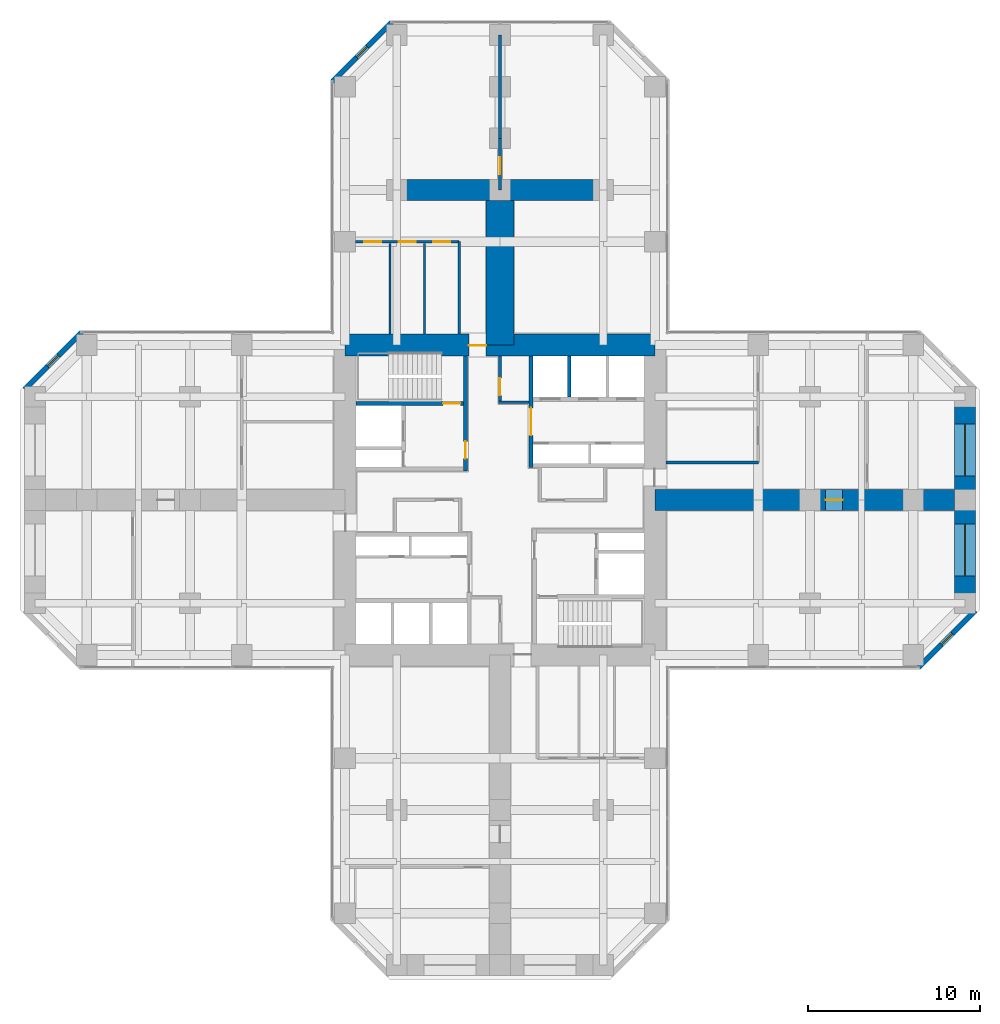
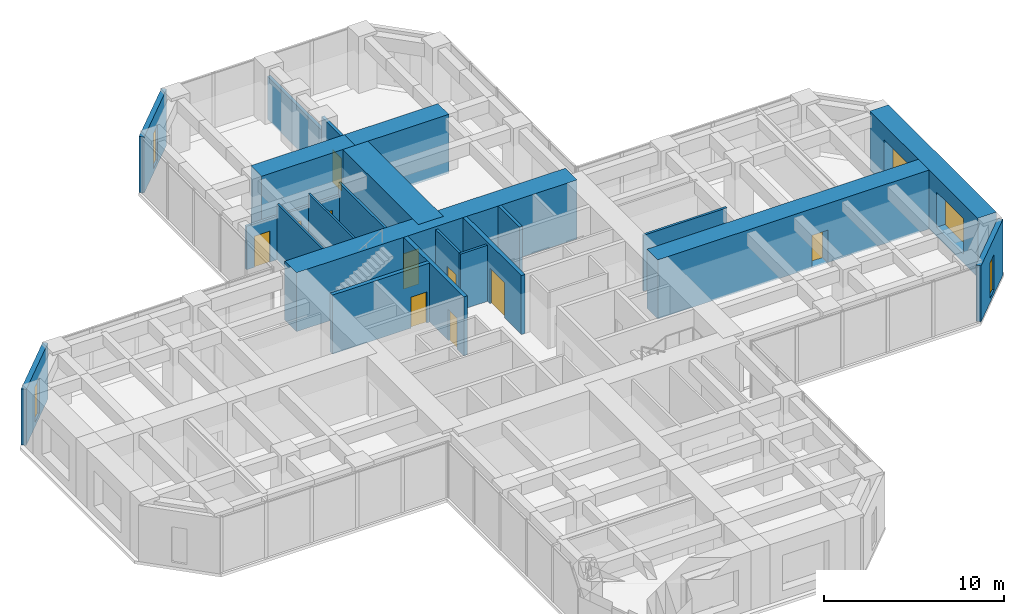
# One storey, part 10 of 12: 22 walls, 10 doors, 5 windows, 15 openings.
"""IFC4 building model written with IfcOpenShell, lengths in metres."""

from ifc_helpers import new_model, si_unit, direction, frame, frame_2d, origin, place, context, subcontext, project, spatial, rectangle, hollow_rectangle, extrude, material, layer, layer_set, constituent, constituent_set, type_object, element, fill, save


model = new_model("IFC4")

# Units and contexts
model_context = context("Model", 3, precision=1e-05, world=origin(), true_north=direction((0.0, 1.0)))
body_context = subcontext(model_context, "Body", "Model", "MODEL_VIEW")
ifc_project = project(units=[si_unit("LENGTHUNIT", "METRE"), si_unit("AREAUNIT", "SQUARE_METRE"), si_unit("VOLUMEUNIT", "CUBIC_METRE"), si_unit("PLANEANGLEUNIT", "RADIAN"), si_unit("MASSUNIT", "GRAM", prefix="KILO")], contexts=[model_context])

# Site, building, storey
site_placement = place(None, origin())
site = spatial("IfcSite", under=ifc_project, at=site_placement, CompositionType="ELEMENT")
building_placement = place(site_placement, origin())
building = spatial("IfcBuilding", under=site, at=building_placement, Name="Torre Cruceta", CompositionType="ELEMENT")
storey_placement = place(building_placement, frame((0.0, 0.0, 67.5)))
storey = spatial("IfcBuildingStorey", under=building, at=storey_placement, Name="L16", CompositionType="ELEMENT", Elevation=67.5)

# Wall, opening, door
ifc_material_1 = material(Name="Concrete G60 (fck 60 MPa)", Category="concrete")
ifc_layer_1 = layer(ifc_material_1, 0.25)
ifc_layer_set_1 = layer_set([ifc_layer_1], Name="Concrete G60 (fck 60 MPa)")
wall_type_1 = type_object("IfcWallType", Name="CORE INNER WALL 250 G60", PredefinedType="SHEAR", material=ifc_layer_set_1)
wall_1_placement = place(storey_placement, frame((1.800048828125, 1.875, 0.0), z_axis=(0.0, 0.0, 1.0), x_axis=(0.0, 1.0, 0.0)))
wall_1 = element("IfcWall", 1, at=wall_1_placement, inside=storey, type_object=wall_type_1, Name="CW4 L16 NE-CU", PredefinedType="SHEAR", context=body_context, shape_type="SweptSolid", body=[
    extrude(rectangle(XDim=6.47509765625, YDim=0.25, at=frame_2d((3.237548828125, 0.0))), origin(), (0.0, 0.0, 1.0), 4.0),
])
opening_1_placement = place(wall_1_placement, frame((1.875, 0.0, 0.0)))
opening_1 = element("IfcOpeningElement", 2, at=opening_1_placement, cuts=wall_1, Name="Opening D8", PredefinedType="OPENING", context=body_context, shape_type="SweptSolid", body=[
    extrude(rectangle(XDim=1.60009765625, YDim=2.39990234375, at=frame_2d((0.800048828125, 1.199951171875))), frame((0.0, 0.135009765625, 0.0), z_axis=(0.0, -1.0, 0.0), x_axis=(1.0, 0.0, 0.0)), (0.0, 0.0, 1.0), 0.27001953125),
])
ifc_material_2 = material(Name="Steel DX51D", Category="steel")
ifc_constituent_1 = constituent(ifc_material_2, Name="Leaf and frame")
ifc_material_3 = material(Name="Polyester powder coating", Category="paint")
ifc_constituent_2 = constituent(ifc_material_3, Name="Finish")
ifc_material_4 = material(Name="Fire-resisting glass", Category="glass")
ifc_constituent_3 = constituent(ifc_material_4, Name="Vision panel")
ifc_constituent_set_1 = constituent_set(constituents=[ifc_constituent_1, ifc_constituent_2, ifc_constituent_3], Name="Steel fire door with vision panels")
door_type_1 = type_object("IfcDoorType", Name="LIFT LOBBY DOUBLE DOOR 1600X2400", OperationType="DOUBLE_DOOR_DOUBLE_SWING", PredefinedType="DOOR", material=ifc_constituent_set_1)
door_1_placement = place(opening_1_placement, origin())
door_1 = element("IfcDoor", 3, at=door_1_placement, inside=storey, type_object=door_type_1, Name="D8 L16 NE-LOBBY", OperationType="DOUBLE_DOOR_DOUBLE_SWING", OverallHeight=2.39990234375, OverallWidth=1.60009765625, PredefinedType="DOOR", context=body_context, shape_type="SweptSolid", body=[
    extrude(rectangle(XDim=1.60009765625, YDim=2.39990234375, at=frame_2d((0.800048828125, 1.199951171875))), frame((0.0, 0.02490234375, 0.0), z_axis=(0.0, -1.0, 0.0), x_axis=(1.0, 0.0, 0.0)), (0.0, 0.0, 1.0), 0.050048828125),
])
fill(opening_1, door_1)

wall_2_placement = place(storey_placement, frame((-2.0, 1.675048828125, 0.0), z_axis=(0.0, 0.0, 1.0), x_axis=(0.0, 1.0, 0.0)))
wall_2 = element("IfcWall", 4, at=wall_2_placement, inside=storey, type_object=wall_type_1, Name="CW4 L16 NW-CU", PredefinedType="SHEAR", context=body_context, shape_type="SweptSolid", body=[
    extrude(rectangle(XDim=6.675048828125, YDim=0.25, at=frame_2d((3.33740234375, 0.0))), origin(), (0.0, 0.0, 1.0), 4.0),
])
opening_2_placement = place(wall_2_placement, frame((0.72509765625, 0.0, 0.0)))
opening_2 = element("IfcOpeningElement", 5, at=opening_2_placement, cuts=wall_2, Name="Opening D3", PredefinedType="OPENING", context=body_context, shape_type="SweptSolid", body=[
    extrude(rectangle(XDim=1.0, YDim=2.10009765625, at=frame_2d((0.5, 1.050048828125))), frame((0.0, 0.135009765625, 0.0), z_axis=(0.0, -1.0, 0.0), x_axis=(1.0, 0.0, 0.0)), (0.0, 0.0, 1.0), 0.27001953125),
])
ifc_material_5 = material(Name="Steel DX51D", Category="steel")
ifc_constituent_4 = constituent(ifc_material_5, Name="Leaf and frame")
ifc_material_6 = material(Name="Polyester powder coating", Category="paint")
ifc_constituent_5 = constituent(ifc_material_6, Name="Finish")
ifc_constituent_set_2 = constituent_set(constituents=[ifc_constituent_4, ifc_constituent_5], Name="Steel fire door")
door_type_2 = type_object("IfcDoorType", Name="FIRE DOOR 1000X2100", OperationType="SINGLE_SWING_LEFT", PredefinedType="DOOR", material=ifc_constituent_set_2)
door_2_placement = place(opening_2_placement, origin())
door_2 = element("IfcDoor", 6, at=door_2_placement, inside=storey, type_object=door_type_2, Name="D3 L16 NW-LOBBY", OperationType="SINGLE_SWING_LEFT", OverallHeight=2.10009765625, OverallWidth=1.0, PredefinedType="DOOR", context=body_context, shape_type="SweptSolid", body=[
    extrude(rectangle(XDim=1.0, YDim=2.10009765625, at=frame_2d((0.5, 1.050048828125))), frame((0.0, 0.02490234375, 0.0), z_axis=(0.0, -1.0, 0.0), x_axis=(1.0, 0.0, 0.0)), (0.0, 0.0, 1.0), 0.050048828125),
])
fill(opening_2, door_2)

wall_3_placement = place(storey_placement, frame((-2.125, 5.60009765625, 0.0), z_axis=(0.0, 0.0, 1.0), x_axis=(-1.0, 0.0, 0.0)))
wall_3 = element("IfcWall", 7, at=wall_3_placement, inside=storey, type_object=wall_type_1, Name="CW4 L16 NW-SV", PredefinedType="SHEAR", context=body_context, shape_type="SweptSolid", body=[
    extrude(rectangle(XDim=6.22509765625, YDim=0.25, at=frame_2d((3.112548828125, 0.0))), origin(), (0.0, 0.0, 1.0), 4.0),
])
opening_3_placement = place(wall_3_placement, frame((0.175048828125, 0.0, 0.0)))
opening_3 = element("IfcOpeningElement", 8, at=opening_3_placement, cuts=wall_3, Name="Opening D3", PredefinedType="OPENING", context=body_context, shape_type="SweptSolid", body=[
    extrude(rectangle(XDim=1.0, YDim=2.10009765625, at=frame_2d((0.5, 1.050048828125))), frame((0.0, 0.135009765625, 0.0), z_axis=(0.0, -1.0, 0.0), x_axis=(1.0, 0.0, 0.0)), (0.0, 0.0, 1.0), 0.27001953125),
])
door_3_placement = place(opening_3_placement, frame((1.0, 0.0, 0.0), z_axis=(0.0, 0.0, 1.0), x_axis=(-1.0, 0.0, 0.0)))
door_3 = element("IfcDoor", 9, at=door_3_placement, inside=storey, type_object=door_type_2, Name="D3 L16 NW-STAIR", OperationType="SINGLE_SWING_RIGHT", OverallHeight=2.10009765625, OverallWidth=1.0, PredefinedType="DOOR", context=body_context, shape_type="SweptSolid", body=[
    extrude(rectangle(XDim=1.0, YDim=2.10009765625, at=frame_2d((0.5, 1.050048828125))), frame((0.0, 0.025146484375, 0.0), z_axis=(0.0, -1.0, 0.0), x_axis=(1.0, 0.0, 0.0)), (0.0, 0.0, 1.0), 0.050048828125),
])
fill(opening_3, door_3)

ifc_material_7 = material(Name="Concrete G60 (fck 60 MPa)", Category="concrete")
ifc_layer_2 = layer(ifc_material_7, 1.300048828125)
ifc_layer_set_2 = layer_set([ifc_layer_2], Name="Concrete G60 (fck 60 MPa)")
wall_type_2 = type_object("IfcWallType", Name="CORE WALL 1300 G60", PredefinedType="SHEAR", material=ifc_layer_set_2)
wall_4_placement = place(storey_placement, frame((9.0, 9.0, 0.0), z_axis=(0.0, 0.0, 1.0), x_axis=(-1.0, 0.0, 0.0)))
wall_4 = element("IfcWall", 10, at=wall_4_placement, inside=storey, type_object=wall_type_2, Name="CW1 L16 CW-N", PredefinedType="SHEAR", context=body_context, shape_type="SweptSolid", body=[
    extrude(rectangle(XDim=18.0, YDim=1.300048828125, at=frame_2d((9.0, 0.0))), origin(), (0.0, 0.0, 1.0), 4.0),
])
opening_4_placement = place(wall_4_placement, frame((9.800048828125, 0.0, 0.0)))
opening_4 = element("IfcOpeningElement", 11, at=opening_4_placement, cuts=wall_4, Name="Opening D4", PredefinedType="OPENING", context=body_context, shape_type="SweptSolid", body=[
    extrude(rectangle(XDim=1.0, YDim=2.39990234375, at=frame_2d((0.5, 1.199951171875))), frame((0.0, 0.659912109375, 0.0), z_axis=(0.0, -1.0, 0.0), x_axis=(1.0, 0.0, 0.0)), (0.0, 0.0, 1.0), 1.320068359375),
])
ifc_material_8 = material(Name="Steel DX51D", Category="steel")
ifc_constituent_6 = constituent(ifc_material_8, Name="Leaf and frame")
ifc_material_9 = material(Name="Polyester powder coating", Category="paint")
ifc_constituent_7 = constituent(ifc_material_9, Name="Finish")
ifc_constituent_set_3 = constituent_set(constituents=[ifc_constituent_6, ifc_constituent_7], Name="Steel fire door")
door_type_3 = type_object("IfcDoorType", Name="CORE ARM DOOR 1000X2400", OperationType="SINGLE_SWING_RIGHT", PredefinedType="DOOR", material=ifc_constituent_set_3)
door_4_placement = place(opening_4_placement, frame((1.0, 0.0, 0.0), z_axis=(0.0, 0.0, 1.0), x_axis=(-1.0, 0.0, 0.0)))
door_4 = element("IfcDoor", 12, at=door_4_placement, inside=storey, type_object=door_type_3, Name="D4 L16 CW-N", OperationType="SINGLE_SWING_RIGHT", OverallHeight=2.39990234375, OverallWidth=1.0, PredefinedType="DOOR", context=body_context, shape_type="SweptSolid", body=[
    extrude(rectangle(XDim=1.0, YDim=2.39990234375, at=frame_2d((0.5, 1.199951171875))), frame((0.0, -0.005126953125, 0.0), z_axis=(0.0, -1.0, 0.0), x_axis=(1.0, 0.0, 0.0)), (0.0, 0.0, 1.0), 0.050048828125),
])
fill(opening_4, door_4)

ifc_material_10 = material(Name="Concrete G25 (fck 25 MPa)", Category="concrete")
ifc_layer_3 = layer(ifc_material_10, 0.199951171875)
ifc_layer_set_3 = layer_set([ifc_layer_3], Name="Concrete G25 (fck 25 MPa)")
wall_type_3 = type_object("IfcWallType", Name="CORRIDOR WALL 200", PredefinedType="SOLIDWALL", material=ifc_layer_set_3)
wall_5_placement = place(storey_placement, frame((0.0, 18.0, 0.0), z_axis=(0.0, 0.0, 1.0), x_axis=(0.0, 1.0, 0.0)))
wall_5 = element("IfcWall", 13, at=wall_5_placement, inside=storey, type_object=wall_type_3, Name="PT3 spine line L16 N", PredefinedType="SOLIDWALL", context=body_context, shape_type="SweptSolid", body=[
    extrude(rectangle(XDim=3.0, YDim=0.199951171875, at=frame_2d((1.5, 0.0))), origin(), (0.0, 0.0, 1.0), 3.800048828125),
])
opening_5_placement = place(wall_5_placement, frame((0.89990234375, 0.0, 0.0)))
opening_5 = element("IfcOpeningElement", 14, at=opening_5_placement, cuts=wall_5, Name="Opening D14", PredefinedType="OPENING", context=body_context, shape_type="SweptSolid", body=[
    extrude(rectangle(XDim=1.0, YDim=2.199951171875, at=frame_2d((0.5, 1.10009765625))), frame((0.0, 0.10986328125, 0.0), z_axis=(0.0, -1.0, 0.0), x_axis=(1.0, 0.0, 0.0)), (0.0, 0.0, 1.0), 0.219970703125),
])
ifc_material_11 = material(Name="Steel DX51D", Category="steel")
ifc_constituent_8 = constituent(ifc_material_11, Name="Leaf and frame")
ifc_material_12 = material(Name="Polyester powder coating", Category="paint")
ifc_constituent_9 = constituent(ifc_material_12, Name="Finish")
ifc_material_13 = material(Name="Fire-resisting glass", Category="glass")
ifc_constituent_10 = constituent(ifc_material_13, Name="Vision panel")
ifc_constituent_set_4 = constituent_set(constituents=[ifc_constituent_8, ifc_constituent_9, ifc_constituent_10], Name="Steel fire door with vision panel")
door_type_4 = type_object("IfcDoorType", Name="FIRE DOOR VISION PANEL 1000X2200", OperationType="SINGLE_SWING_RIGHT", PredefinedType="DOOR", material=ifc_constituent_set_4)
door_5_placement = place(opening_5_placement, origin())
door_5 = element("IfcDoor", 15, at=door_5_placement, inside=storey, type_object=door_type_4, Name="D14 L16-N-SP1", OperationType="SINGLE_SWING_LEFT", OverallHeight=2.199951171875, OverallWidth=1.0, PredefinedType="DOOR", context=body_context, shape_type="SweptSolid", body=[
    extrude(rectangle(XDim=1.0, YDim=2.199951171875, at=frame_2d((0.5, 1.10009765625))), frame((0.0, 0.02490234375, 0.0), z_axis=(0.0, -1.0, 0.0), x_axis=(1.0, 0.0, 0.0)), (0.0, 0.0, 1.0), 0.050048828125),
])
fill(opening_5, door_5)

# Walls
wall_6_placement = place(storey_placement, frame((0.0, 21.0, 0.0), z_axis=(0.0, 0.0, 1.0), x_axis=(0.0, 1.0, 0.0)))
element("IfcWall", 16, at=wall_6_placement, inside=storey, type_object=wall_type_3, Name="PT3 spine line L16 N 2", PredefinedType="SOLIDWALL", context=body_context, shape_type="SweptSolid", body=[
    extrude(rectangle(XDim=6.0, YDim=0.199951171875, at=frame_2d((3.0, 0.0))), origin(), (0.0, 0.0, 1.0), 2.89990234375),
])
ifc_material_14 = material(Name="Concrete G60 (fck 60 MPa)", Category="concrete")
ifc_layer_4 = layer(ifc_material_14, 1.199951171875)
ifc_layer_set_4 = layer_set([ifc_layer_4], Name="Concrete G60 (fck 60 MPa)")
wall_type_4 = type_object("IfcWallType", Name="CROSS WALL 1200 G60", PredefinedType="SHEAR", material=ifc_layer_set_4)
for number, where, z_axis, x_axis, name in (
    (17, (0.0, 18.0, 0.0), (0.0, 0.0, 1.0), (-1.0, 0.0, 0.0), "XW1 cross wall L16 N L"),
    (18, (0.0, 18.0, 0.0), (0.0, 0.0, 1.0), (1.0, 0.0, 0.0), "XW1 cross wall L16 N R"),
):
    element("IfcWall", number, at=place(storey_placement, frame(where, z_axis=z_axis, x_axis=x_axis)), inside=storey, type_object=wall_type_4, Name=name, PredefinedType="SHEAR", context=body_context, shape_type="SweptSolid", body=[
        extrude(rectangle(XDim=6.0, YDim=1.199951171875, at=frame_2d((3.0, 0.0))), origin(), (0.0, 0.0, 1.0), 4.0),
    ])

# Wall, opening, window
ifc_material_15 = material(Name="Concrete G30 (fck 30 MPa)", Category="concrete")
ifc_layer_5 = layer(ifc_material_15, 0.300048828125)
ifc_layer_set_5 = layer_set([ifc_layer_5], Name="Concrete G30 (fck 30 MPa)")
wall_type_5 = type_object("IfcWallType", Name="EXPOSED CONCRETE FACADE WALL 300", PredefinedType="SOLIDWALL", material=ifc_layer_set_5)
wall_7_placement = place(storey_placement, frame((24.29833984375, -9.719970703125, 0.0), z_axis=(0.0, 0.0, 1.0), x_axis=(0.707106781187, 0.707106781187, 0.0)))
wall_7 = element("IfcWall", 19, at=wall_7_placement, inside=storey, type_object=wall_type_5, Name="EW1 facade wall L16 E chamfer 01", PredefinedType="SOLIDWALL", context=body_context, shape_type="SweptSolid", body=[
    extrude(rectangle(XDim=4.66943359375, YDim=0.300048828125, at=frame_2d((2.334716796875, 0.0))), origin(), (0.0, 0.0, 1.0), 3.800048828125),
])
opening_6_placement = place(wall_7_placement, frame((1.884765625, 0.0, 0.300048828125)))
opening_6 = element("IfcOpeningElement", 20, at=opening_6_placement, cuts=wall_7, Name="Opening WN5", PredefinedType="OPENING", context=body_context, shape_type="SweptSolid", body=[
    extrude(rectangle(XDim=0.89990234375, YDim=2.39990234375, at=frame_2d((0.449951171875, 1.199951171875))), frame((0.0, 0.159912109375, 0.0), z_axis=(0.0, -1.0, 0.0), x_axis=(1.0, 0.0, 0.0)), (0.0, 0.0, 1.0), 0.320068359375),
])
ifc_material_16 = material(Name="Aluminium window frame", Category="aluminium")
ifc_constituent_11 = constituent(ifc_material_16, Name="Frame")
ifc_material_17 = material(Name="Laminated insulating glass unit, low-iron clear", Category="glass")
ifc_constituent_12 = constituent(ifc_material_17, Name="Glazing")
ifc_constituent_set_5 = constituent_set(constituents=[ifc_constituent_11, ifc_constituent_12], Name="Aluminium window")
window_type_1 = type_object("IfcWindowType", Name="CHAMFER SLOT WINDOW 900X2400", PartitioningType="SINGLE_PANEL", PredefinedType="WINDOW", material=ifc_constituent_set_5)
window_1_placement = place(opening_6_placement, origin())
window_1 = element("IfcWindow", 21, at=window_1_placement, inside=storey, type_object=window_type_1, Name="WN5 L16 E 1", OverallHeight=2.39990234375, OverallWidth=0.89990234375, PartitioningType="SINGLE_PANEL", PredefinedType="WINDOW", context=body_context, shape_type="SweptSolid", body=[
    extrude(hollow_rectangle(XDim=0.89990234375, YDim=2.39990234375, WallThickness=0.06005859375, at=frame_2d((0.449951171875, 1.199951171875))), frame((0.0, 0.030029296875, 0.0), z_axis=(0.0, -1.0, 0.0), x_axis=(1.0, 0.0, 0.0)), (0.0, 0.0, 1.0), 0.06005859375),
    extrude(rectangle(XDim=0.77880859375, YDim=2.27880859375, at=frame_2d((0.449951171875, 1.199951171875))), frame((0.0, 0.030029296875, 0.0), z_axis=(0.0, -1.0, 0.0), x_axis=(1.0, 0.0, 0.0)), (0.0, 0.0, 1.0), 0.06005859375),
])
fill(opening_6, window_1)

wall_8_placement = place(storey_placement, frame((-6.29833984375, 27.719970703125, 0.0), z_axis=(0.0, 0.0, 1.0), x_axis=(-0.707106781187, -0.707106781187, 0.0)))
wall_8 = element("IfcWall", 22, at=wall_8_placement, inside=storey, type_object=wall_type_5, Name="EW1 facade wall L16 N chamfer 08", PredefinedType="SOLIDWALL", context=body_context, shape_type="SweptSolid", body=[
    extrude(rectangle(XDim=4.8388671875, YDim=0.300048828125, at=frame_2d((2.41943359375, 0.0))), origin(), (0.0, 0.0, 1.0), 3.800048828125),
])
opening_7_placement = place(wall_8_placement, frame((1.969482421875, 0.0, 0.300048828125)))
opening_7 = element("IfcOpeningElement", 23, at=opening_7_placement, cuts=wall_8, Name="Opening WN5", PredefinedType="OPENING", context=body_context, shape_type="SweptSolid", body=[
    extrude(rectangle(XDim=0.89990234375, YDim=2.39990234375, at=frame_2d((0.449951171875, 1.199951171875))), frame((0.0, 0.159912109375, 0.0), z_axis=(0.0, -1.0, 0.0), x_axis=(1.0, 0.0, 0.0)), (0.0, 0.0, 1.0), 0.320068359375),
])
window_2_placement = place(opening_7_placement, origin())
window_2 = element("IfcWindow", 24, at=window_2_placement, inside=storey, type_object=window_type_1, Name="WN5 L16 N 1", OverallHeight=2.39990234375, OverallWidth=0.89990234375, PartitioningType="SINGLE_PANEL", PredefinedType="WINDOW", context=body_context, shape_type="SweptSolid", body=[
    extrude(hollow_rectangle(XDim=0.89990234375, YDim=2.39990234375, WallThickness=0.06005859375, at=frame_2d((0.449951171875, 1.199951171875))), frame((0.0, 0.030029296875, 0.0), z_axis=(0.0, -1.0, 0.0), x_axis=(1.0, 0.0, 0.0)), (0.0, 0.0, 1.0), 0.06005859375),
    extrude(rectangle(XDim=0.77880859375, YDim=2.27880859375, at=frame_2d((0.449951171875, 1.199951171875))), frame((0.0, 0.030029296875, 0.0), z_axis=(0.0, -1.0, 0.0), x_axis=(1.0, 0.0, 0.0)), (0.0, 0.0, 1.0), 0.06005859375),
])
fill(opening_7, window_2)

wall_9_placement = place(storey_placement, frame((-24.29833984375, 9.719970703125, 0.0), z_axis=(0.0, 0.0, 1.0), x_axis=(-0.707106781187, -0.707106781187, 0.0)))
wall_9 = element("IfcWall", 25, at=wall_9_placement, inside=storey, type_object=wall_type_5, Name="EW1 facade wall L16 W chamfer 11", PredefinedType="SOLIDWALL", context=body_context, shape_type="SweptSolid", body=[
    extrude(rectangle(XDim=4.66943359375, YDim=0.300048828125, at=frame_2d((2.334716796875, 0.0))), origin(), (0.0, 0.0, 1.0), 3.800048828125),
])
opening_8_placement = place(wall_9_placement, frame((1.884765625, 0.0, 0.300048828125)))
opening_8 = element("IfcOpeningElement", 26, at=opening_8_placement, cuts=wall_9, Name="Opening WN5", PredefinedType="OPENING", context=body_context, shape_type="SweptSolid", body=[
    extrude(rectangle(XDim=0.89990234375, YDim=2.39990234375, at=frame_2d((0.449951171875, 1.199951171875))), frame((0.0, 0.159912109375, 0.0), z_axis=(0.0, -1.0, 0.0), x_axis=(1.0, 0.0, 0.0)), (0.0, 0.0, 1.0), 0.320068359375),
])
window_3_placement = place(opening_8_placement, origin())
window_3 = element("IfcWindow", 27, at=window_3_placement, inside=storey, type_object=window_type_1, Name="WN5 L16 W 1", OverallHeight=2.39990234375, OverallWidth=0.89990234375, PartitioningType="SINGLE_PANEL", PredefinedType="WINDOW", context=body_context, shape_type="SweptSolid", body=[
    extrude(hollow_rectangle(XDim=0.89990234375, YDim=2.39990234375, WallThickness=0.06005859375, at=frame_2d((0.449951171875, 1.199951171875))), frame((0.0, 0.030029296875, 0.0), z_axis=(0.0, -1.0, 0.0), x_axis=(1.0, 0.0, 0.0)), (0.0, 0.0, 1.0), 0.06005859375),
    extrude(rectangle(XDim=0.77880859375, YDim=2.27880859375, at=frame_2d((0.449951171875, 1.199951171875))), frame((0.0, 0.030029296875, 0.0), z_axis=(0.0, -1.0, 0.0), x_axis=(1.0, 0.0, 0.0)), (0.0, 0.0, 1.0), 0.06005859375),
])
fill(opening_8, window_3)

# Wall
ifc_material_18 = material(Name="Concrete G35 (fck 35 MPa)", Category="concrete")
ifc_layer_6 = layer(ifc_material_18, 0.199951171875)
ifc_layer_set_6 = layer_set([ifc_layer_6], Name="Concrete G35 (fck 35 MPa)")
wall_type_6 = type_object("IfcWallType", Name="LIFT SHAFT WALL 200", PredefinedType="PARTITIONING", material=ifc_layer_set_6)
wall_10_placement = place(storey_placement, frame((4.033447265625, 5.97509765625, 0.0), z_axis=(0.0, 0.0, 1.0), x_axis=(0.0, 1.0, 0.0)))
element("IfcWall", 28, at=wall_10_placement, inside=storey, type_object=wall_type_6, Name="SW1 L16 NE-LS1", PredefinedType="PARTITIONING", context=body_context, shape_type="SweptSolid", body=[
    extrude(rectangle(XDim=2.375, YDim=0.199951171875, at=frame_2d((1.1875, 0.0))), origin(), (0.0, 0.0, 1.0), 4.0),
])

# Wall, openings, windows
ifc_material_19 = material(Name="Concrete G60 (fck 60 MPa)", Category="concrete")
ifc_layer_7 = layer(ifc_material_19, 1.199951171875)
ifc_layer_set_7 = layer_set([ifc_layer_7], Name="Concrete G60 (fck 60 MPa)")
wall_type_7 = type_object("IfcWallType", Name="NOSE WALL 1200 G60", PredefinedType="SHEAR", material=ifc_layer_set_7)
wall_11_placement = place(storey_placement, frame((27.0, -6.0, 0.0), z_axis=(0.0, 0.0, 1.0), x_axis=(0.0, 1.0, 0.0)))
wall_11 = element("IfcWall", 29, at=wall_11_placement, inside=storey, type_object=wall_type_7, Name="NW1 nose wall L16 E", PredefinedType="SHEAR", context=body_context, shape_type="SweptSolid", body=[
    extrude(rectangle(XDim=12.0, YDim=1.199951171875, at=frame_2d((6.0, 0.0))), origin(), (0.0, 0.0, 1.0), 4.0),
])
opening_9_placement = place(wall_11_placement, frame((1.60009765625, 0.0, 0.60009765625)))
opening_9 = element("IfcOpeningElement", 30, at=opening_9_placement, cuts=wall_11, Name="Opening WN6", PredefinedType="OPENING", context=body_context, shape_type="SweptSolid", body=[
    extrude(rectangle(XDim=3.0, YDim=2.39990234375, at=frame_2d((1.5, 1.199951171875))), frame((0.0, 0.60986328125, 0.0), z_axis=(0.0, -1.0, 0.0), x_axis=(1.0, 0.0, 0.0)), (0.0, 0.0, 1.0), 1.219970703125),
])
opening_10_placement = place(wall_11_placement, frame((7.39990234375, 0.0, 0.60009765625)))
opening_10 = element("IfcOpeningElement", 31, at=opening_10_placement, cuts=wall_11, Name="Opening WN6", PredefinedType="OPENING", context=body_context, shape_type="SweptSolid", body=[
    extrude(rectangle(XDim=3.0, YDim=2.39990234375, at=frame_2d((1.5, 1.199951171875))), frame((0.0, 0.60986328125, 0.0), z_axis=(0.0, -1.0, 0.0), x_axis=(1.0, 0.0, 0.0)), (0.0, 0.0, 1.0), 1.219970703125),
])
ifc_material_20 = material(Name="Aluminium window frame", Category="aluminium")
ifc_constituent_13 = constituent(ifc_material_20, Name="Frame")
ifc_material_21 = material(Name="Laminated insulating glass unit, low-iron clear", Category="glass")
ifc_constituent_14 = constituent(ifc_material_21, Name="Glazing")
ifc_constituent_set_6 = constituent_set(constituents=[ifc_constituent_13, ifc_constituent_14], Name="Aluminium window")
window_type_2 = type_object("IfcWindowType", Name="NOSE WALL WINDOW 3000X2400", PartitioningType="SINGLE_PANEL", PredefinedType="WINDOW", material=ifc_constituent_set_6)
window_4_placement = place(opening_9_placement, origin())
window_4 = element("IfcWindow", 32, at=window_4_placement, inside=storey, type_object=window_type_2, Name="WN6 L16 E 1", OverallHeight=2.39990234375, OverallWidth=3.0, PartitioningType="SINGLE_PANEL", PredefinedType="WINDOW", context=body_context, shape_type="SweptSolid", body=[
    extrude(hollow_rectangle(XDim=3.0, YDim=2.39990234375, WallThickness=0.06005859375, at=frame_2d((1.5, 1.199951171875))), frame((0.0, 0.030029296875, 0.0), z_axis=(0.0, -1.0, 0.0), x_axis=(1.0, 0.0, 0.0)), (0.0, 0.0, 1.0), 0.06005859375),
    extrude(rectangle(XDim=2.87890625, YDim=2.27880859375, at=frame_2d((1.5, 1.199951171875))), frame((0.0, 0.030029296875, 0.0), z_axis=(0.0, -1.0, 0.0), x_axis=(1.0, 0.0, 0.0)), (0.0, 0.0, 1.0), 0.06005859375),
])
fill(opening_9, window_4)
window_5_placement = place(opening_10_placement, origin())
window_5 = element("IfcWindow", 33, at=window_5_placement, inside=storey, type_object=window_type_2, Name="WN6 L16 E 2", OverallHeight=2.39990234375, OverallWidth=3.0, PartitioningType="SINGLE_PANEL", PredefinedType="WINDOW", context=body_context, shape_type="SweptSolid", body=[
    extrude(hollow_rectangle(XDim=3.0, YDim=2.39990234375, WallThickness=0.06005859375, at=frame_2d((1.5, 1.199951171875))), frame((0.0, 0.030029296875, 0.0), z_axis=(0.0, -1.0, 0.0), x_axis=(1.0, 0.0, 0.0)), (0.0, 0.0, 1.0), 0.06005859375),
    extrude(rectangle(XDim=2.87890625, YDim=2.27880859375, at=frame_2d((1.5, 1.199951171875))), frame((0.0, 0.030029296875, 0.0), z_axis=(0.0, -1.0, 0.0), x_axis=(1.0, 0.0, 0.0)), (0.0, 0.0, 1.0), 0.06005859375),
])
fill(opening_10, window_5)

# Wall, opening, door
ifc_material_22 = material(Name="Plasterboard on steel studs", Category="steel")
ifc_layer_8 = layer(ifc_material_22, 0.14990234375)
ifc_layer_set_8 = layer_set([ifc_layer_8], Name="Plasterboard on steel studs")
wall_type_8 = type_object("IfcWallType", Name="PARTITION 150", PredefinedType="PARTITIONING", material=ifc_layer_set_8)
wall_12_placement = place(storey_placement, frame((0.0, 5.675048828125, 0.0), z_axis=(0.0, 0.0, 1.0), x_axis=(0.0, 1.0, 0.0)))
wall_12 = element("IfcWall", 34, at=wall_12_placement, inside=storey, type_object=wall_type_8, Name="PT1 L16-CORE-LEGN-E-W1", PredefinedType="PARTITIONING", context=body_context, shape_type="SweptSolid", body=[
    extrude(rectangle(XDim=2.675048828125, YDim=0.14990234375, at=frame_2d((1.33740234375, 0.0))), origin(), (0.0, 0.0, 1.0), 3.800048828125),
])
opening_11_placement = place(wall_12_placement, frame((0.39990234375, 0.0, 0.0)))
opening_11 = element("IfcOpeningElement", 35, at=opening_11_placement, cuts=wall_12, Name="Opening D3", PredefinedType="OPENING", context=body_context, shape_type="SweptSolid", body=[
    extrude(rectangle(XDim=1.0, YDim=2.10009765625, at=frame_2d((0.5, 1.050048828125))), frame((0.0, 0.0849609375, 0.0), z_axis=(0.0, -1.0, 0.0), x_axis=(1.0, 0.0, 0.0)), (0.0, 0.0, 1.0), 0.169921875),
])
door_6_placement = place(opening_11_placement, frame((1.0, 0.0, 0.0), z_axis=(0.0, 0.0, 1.0), x_axis=(-1.0, 0.0, 0.0)))
door_6 = element("IfcDoor", 36, at=door_6_placement, inside=storey, type_object=door_type_2, Name="D3 L16-CORE-LEGN-E-W1-D1", OperationType="SINGLE_SWING_RIGHT", OverallHeight=2.10009765625, OverallWidth=1.0, PredefinedType="DOOR", context=body_context, shape_type="SweptSolid", body=[
    extrude(rectangle(XDim=1.0, YDim=2.10009765625, at=frame_2d((0.5, 1.050048828125))), frame((0.0, 0.025146484375, 0.0), z_axis=(0.0, -1.0, 0.0), x_axis=(1.0, 0.0, 0.0)), (0.0, 0.0, 1.0), 0.050048828125),
])
fill(opening_11, door_6)

# Wall
wall_13_placement = place(storey_placement, frame((1.675048828125, 5.675048828125, 0.0), z_axis=(0.0, 0.0, 1.0), x_axis=(-1.0, 0.0, 0.0)))
element("IfcWall", 37, at=wall_13_placement, inside=storey, type_object=wall_type_8, Name="PT1 L16-CORE-LEGN-E-W2", PredefinedType="PARTITIONING", context=body_context, shape_type="SweptSolid", body=[
    extrude(rectangle(XDim=1.75, YDim=0.14990234375, at=frame_2d((0.875, 0.0))), origin(), (0.0, 0.0, 1.0), 3.800048828125),
])

# Wall, openings, doors
wall_14_placement = place(storey_placement, frame((-2.375, 15.0, 0.0), z_axis=(0.0, 0.0, 1.0), x_axis=(-1.0, 0.0, 0.0)))
wall_14 = element("IfcWall", 38, at=wall_14_placement, inside=storey, type_object=wall_type_8, Name="PT1 L16-N-BFL", PredefinedType="PARTITIONING", context=body_context, shape_type="SweptSolid", body=[
    extrude(rectangle(XDim=6.02490234375, YDim=0.14990234375, at=frame_2d((3.012451171875, 0.0))), origin(), (0.0, 0.0, 1.0), 2.949951171875),
])
opening_12_placement = place(wall_14_placement, frame((0.504150390625, 0.0, 0.0)))
opening_12 = element("IfcOpeningElement", 39, at=opening_12_placement, cuts=wall_14, Name="Opening D3", PredefinedType="OPENING", context=body_context, shape_type="SweptSolid", body=[
    extrude(rectangle(XDim=1.0, YDim=2.10009765625, at=frame_2d((0.5, 1.050048828125))), frame((0.0, 0.0849609375, 0.0), z_axis=(0.0, -1.0, 0.0), x_axis=(1.0, 0.0, 0.0)), (0.0, 0.0, 1.0), 0.169921875),
])
opening_13_placement = place(wall_14_placement, frame((2.512451171875, 0.0, 0.0)))
opening_13 = element("IfcOpeningElement", 40, at=opening_13_placement, cuts=wall_14, Name="Opening D3", PredefinedType="OPENING", context=body_context, shape_type="SweptSolid", body=[
    extrude(rectangle(XDim=1.0, YDim=2.10009765625, at=frame_2d((0.5, 1.050048828125))), frame((0.0, 0.0849609375, 0.0), z_axis=(0.0, -1.0, 0.0), x_axis=(1.0, 0.0, 0.0)), (0.0, 0.0, 1.0), 0.169921875),
])
opening_14_placement = place(wall_14_placement, frame((4.520751953125, 0.0, 0.0)))
opening_14 = element("IfcOpeningElement", 41, at=opening_14_placement, cuts=wall_14, Name="Opening D3", PredefinedType="OPENING", context=body_context, shape_type="SweptSolid", body=[
    extrude(rectangle(XDim=1.0, YDim=2.10009765625, at=frame_2d((0.5, 1.050048828125))), frame((0.0, 0.0849609375, 0.0), z_axis=(0.0, -1.0, 0.0), x_axis=(1.0, 0.0, 0.0)), (0.0, 0.0, 1.0), 0.169921875),
])
door_7_placement = place(opening_12_placement, origin())
door_7 = element("IfcDoor", 42, at=door_7_placement, inside=storey, type_object=door_type_2, Name="D3 L16-N-BFL-D1", OperationType="SINGLE_SWING_LEFT", OverallHeight=2.10009765625, OverallWidth=1.0, PredefinedType="DOOR", context=body_context, shape_type="SweptSolid", body=[
    extrude(rectangle(XDim=1.0, YDim=2.10009765625, at=frame_2d((0.5, 1.050048828125))), frame((0.0, 0.02490234375, 0.0), z_axis=(0.0, -1.0, 0.0), x_axis=(1.0, 0.0, 0.0)), (0.0, 0.0, 1.0), 0.050048828125),
])
fill(opening_12, door_7)
door_8_placement = place(opening_13_placement, origin())
door_8 = element("IfcDoor", 43, at=door_8_placement, inside=storey, type_object=door_type_2, Name="D3 L16-N-BFL-D2", OperationType="SINGLE_SWING_LEFT", OverallHeight=2.10009765625, OverallWidth=1.0, PredefinedType="DOOR", context=body_context, shape_type="SweptSolid", body=[
    extrude(rectangle(XDim=1.0, YDim=2.10009765625, at=frame_2d((0.5, 1.050048828125))), frame((0.0, 0.02490234375, 0.0), z_axis=(0.0, -1.0, 0.0), x_axis=(1.0, 0.0, 0.0)), (0.0, 0.0, 1.0), 0.050048828125),
])
fill(opening_13, door_8)
door_9_placement = place(opening_14_placement, origin())
door_9 = element("IfcDoor", 44, at=door_9_placement, inside=storey, type_object=door_type_2, Name="D3 L16-N-BFL-D3", OperationType="SINGLE_SWING_LEFT", OverallHeight=2.10009765625, OverallWidth=1.0, PredefinedType="DOOR", context=body_context, shape_type="SweptSolid", body=[
    extrude(rectangle(XDim=1.0, YDim=2.10009765625, at=frame_2d((0.5, 1.050048828125))), frame((0.0, 0.02490234375, 0.0), z_axis=(0.0, -1.0, 0.0), x_axis=(1.0, 0.0, 0.0)), (0.0, 0.0, 1.0), 0.050048828125),
])
fill(opening_14, door_9)

# Walls
for number, where, z_axis, x_axis, name in (
    (45, (-2.375, 9.64990234375, 0.0), (0.0, 0.0, 1.0), (0.0, 1.0, 0.0), "PT1 L16-N-BSL"),
    (46, (9.64990234375, 2.175048828125, 0.0), (0.0, 0.0, 1.0), (1.0, 0.0, 0.0), "PT1 L16-E-BSL"),
):
    element("IfcWall", number, at=place(storey_placement, frame(where, z_axis=z_axis, x_axis=x_axis)), inside=storey, type_object=wall_type_8, Name=name, PredefinedType="PARTITIONING", context=body_context, shape_type="SweptSolid", body=[
        extrude(rectangle(XDim=5.35009765625, YDim=0.14990234375, at=frame_2d((2.675048828125, 0.0))), origin(), (0.0, 0.0, 1.0), 3.800048828125),
    ])

# Wall, opening, door
ifc_material_23 = material(Name="Concrete G60 (fck 60 MPa)", Category="concrete")
ifc_layer_9 = layer(ifc_material_23, 1.199951171875)
ifc_layer_set_9 = layer_set([ifc_layer_9], Name="Concrete G60 (fck 60 MPa)")
wall_type_9 = type_object("IfcWallType", Name="SPINE WALL 1200 G60", PredefinedType="SHEAR", material=ifc_layer_set_9)
wall_15_placement = place(storey_placement, frame((9.0, 0.0, 0.0), z_axis=(0.0, 0.0, 1.0), x_axis=(1.0, 0.0, 0.0)))
wall_15 = element("IfcWall", 47, at=wall_15_placement, inside=storey, type_object=wall_type_9, Name="SW3 spine wall L16 E", PredefinedType="SHEAR", context=body_context, shape_type="SweptSolid", body=[
    extrude(rectangle(XDim=18.0, YDim=1.199951171875, at=frame_2d((9.0, 0.0))), origin(), (0.0, 0.0, 1.0), 4.0),
])
opening_15_placement = place(wall_15_placement, frame((9.89990234375, 0.0, 0.0)))
opening_15 = element("IfcOpeningElement", 48, at=opening_15_placement, cuts=wall_15, Name="Opening D14", PredefinedType="OPENING", context=body_context, shape_type="SweptSolid", body=[
    extrude(rectangle(XDim=1.0, YDim=2.199951171875, at=frame_2d((0.5, 1.10009765625))), frame((0.0, 0.60986328125, 0.0), z_axis=(0.0, -1.0, 0.0), x_axis=(1.0, 0.0, 0.0)), (0.0, 0.0, 1.0), 1.219970703125),
])
door_10_placement = place(opening_15_placement, origin())
door_10 = element("IfcDoor", 49, at=door_10_placement, inside=storey, type_object=door_type_4, Name="D14 L16-E-SP1", OperationType="SINGLE_SWING_RIGHT", OverallHeight=2.199951171875, OverallWidth=1.0, PredefinedType="DOOR", context=body_context, shape_type="SweptSolid", body=[
    extrude(rectangle(XDim=1.0, YDim=2.199951171875, at=frame_2d((0.5, 1.10009765625))), frame((0.0, 0.02490234375, 0.0), z_axis=(0.0, -1.0, 0.0), x_axis=(1.0, 0.0, 0.0)), (0.0, 0.0, 1.0), 0.050048828125),
])
fill(opening_15, door_10)

# Walls
ifc_material_24 = material(Name="Concrete G60 (fck 60 MPa)", Category="concrete")
ifc_layer_10 = layer(ifc_material_24, 1.60009765625)
ifc_layer_set_10 = layer_set([ifc_layer_10], Name="Concrete G60 (fck 60 MPa)")
wall_type_10 = type_object("IfcWallType", Name="SPINE WALL 1600 G60", PredefinedType="SHEAR", material=ifc_layer_set_10)
wall_16_placement = place(storey_placement, frame((0.0, 9.0, 0.0), z_axis=(0.0, 0.0, 1.0), x_axis=(0.0, 1.0, 0.0)))
element("IfcWall", 50, at=wall_16_placement, inside=storey, type_object=wall_type_10, Name="SW2 spine wall L16 N", PredefinedType="SHEAR", context=body_context, shape_type="SweptSolid", body=[
    extrude(rectangle(XDim=9.0, YDim=1.60009765625, at=frame_2d((4.5, 0.0))), origin(), (0.0, 0.0, 1.0), 4.0),
])
ifc_material_25 = material(Name="Plasterboard on steel studs", Category="steel")
ifc_layer_11 = layer(ifc_material_25, 0.1201171875)
ifc_layer_set_11 = layer_set([ifc_layer_11], Name="Plasterboard on steel studs")
wall_type_11 = type_object("IfcWallType", Name="WC PARTITION 120", PredefinedType="PLUMBINGWALL", material=ifc_layer_set_11)
for number, where, z_axis, x_axis, name in (
    (51, (-4.38330078125, 9.64990234375, 0.0), (0.0, 0.0, 1.0), (0.0, 1.0, 0.0), "PT5 L16-N-BDL1"),
    (52, (-6.3916015625, 9.64990234375, 0.0), (0.0, 0.0, 1.0), (0.0, 1.0, 0.0), "PT5 L16-N-BDL2"),
):
    element("IfcWall", number, at=place(storey_placement, frame(where, z_axis=z_axis, x_axis=x_axis)), inside=storey, type_object=wall_type_11, Name=name, PredefinedType="PLUMBINGWALL", context=body_context, shape_type="SweptSolid", body=[
        extrude(rectangle(XDim=5.25, YDim=0.1201171875, at=frame_2d((2.625, 0.0))), origin(), (0.0, 0.0, 1.0), 3.800048828125),
    ])

save(model, "model.ifc")
